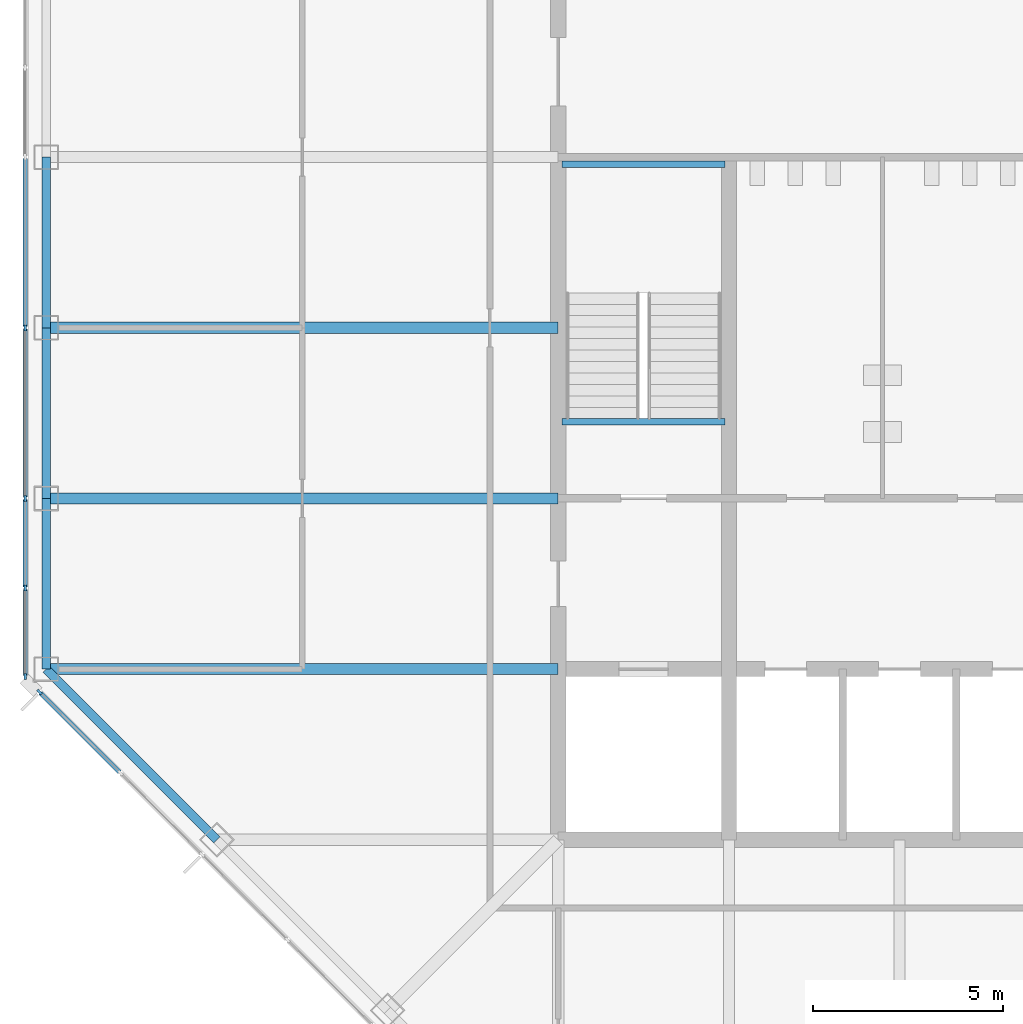
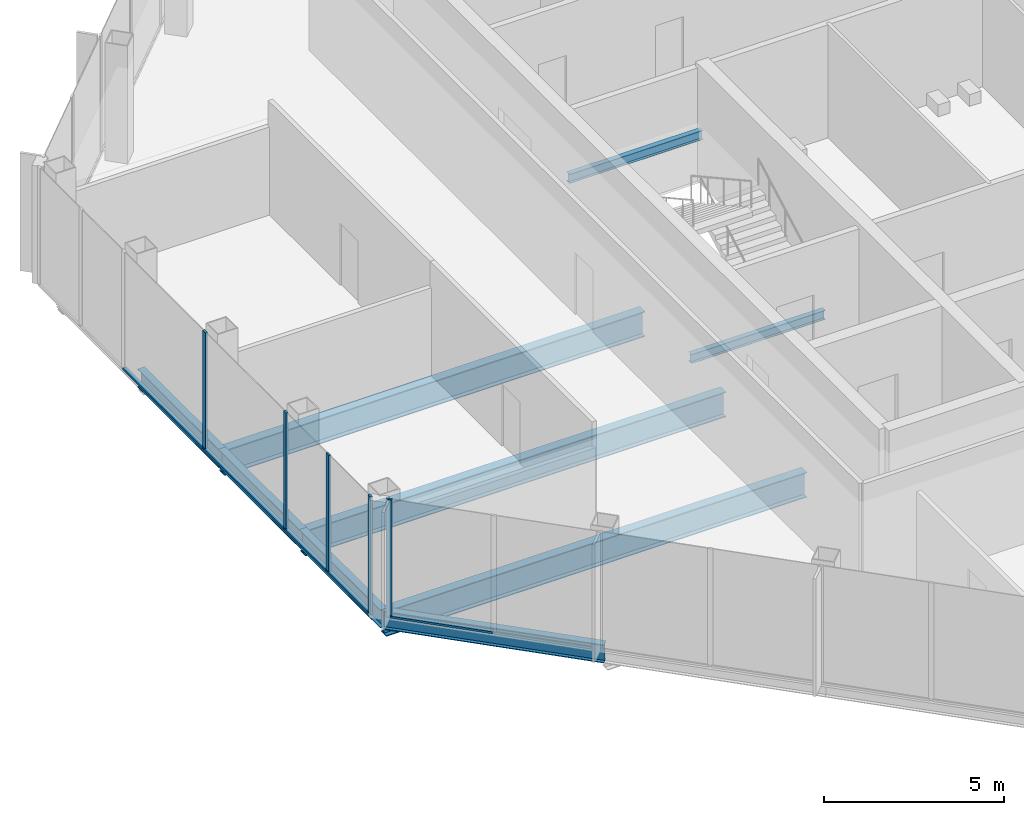
# One storey, part 3 of 14: 10 members, 9 beams, 2 elements without a shape of their own.
"""IFC4 building model written with IfcOpenShell, lengths in metres."""

from ifc_helpers import new_model, si_unit, direction, frame, origin, origin_2d, place, context, subcontext, project, spatial, rectangle, i_section, extrude, material, material_profile, profile_set, type_object, element, aggregate, save


model = new_model("IFC4")

# Units and contexts
model_context = context("Model", 3, precision=1e-05, world=origin(), true_north=direction((0.0, 1.0)))
body_context = subcontext(model_context, "Body", "Model", "MODEL_VIEW")
ifc_project = project(units=[si_unit("LENGTHUNIT", "METRE"), si_unit("AREAUNIT", "SQUARE_METRE"), si_unit("VOLUMEUNIT", "CUBIC_METRE"), si_unit("PLANEANGLEUNIT", "RADIAN"), si_unit("MASSUNIT", "GRAM", prefix="KILO")], contexts=[model_context])

# Site, building, storey
site_placement = place(None, origin())
site = spatial("IfcSite", under=ifc_project, at=site_placement, CompositionType="ELEMENT")
building_placement = place(site_placement, origin())
building = spatial("IfcBuilding", under=site, at=building_placement, Name="Corais Broadcast Tower", CompositionType="ELEMENT")
storey_placement = place(building_placement, frame((0.0, 0.0, 254.60009765625)))
storey = spatial("IfcBuildingStorey", under=building, at=storey_placement, Name="L59", CompositionType="ELEMENT", Elevation=254.60009765625)

# Beams
ifc_material_1 = material(Name="Steel ASTM A572 Grade 50", Category="steel")
ifc_material_profile_1 = material_profile(ifc_material_1, i_section(OverallWidth=0.2939453125, OverallDepth=0.85107421875, WebThickness=0.01611328125, FlangeThickness=0.02685546875, at=origin_2d()), Name="W840x226")
ifc_profile_set_1 = profile_set([ifc_material_profile_1], Name="Steel ASTM A572 Grade 50")
beam_type_1 = type_object("IfcBeamType", Name="Floor beam W840x226", PredefinedType="BEAM", material=ifc_profile_set_1)
for number, where, z_axis, x_axis, name in (
    (1, (0.0, 18.0, -0.585693359375), (1.0, 0.0, 0.0), (0.0, 1.0, 0.0), "B1 E/3 to E/6"),
    (2, (0.0, 22.5, -0.585693359375), (1.0, 0.0, 0.0), (0.0, 1.0, 0.0), "B1 F/3 to F/6"),
    (3, (0.0, 27.0, -0.585693359375), (1.0, 0.0, 0.0), (0.0, 1.0, 0.0), "B1 G/3 to G/6"),
):
    element("IfcBeam", number, at=place(storey_placement, frame(where, z_axis=z_axis, x_axis=x_axis)), inside=storey, type_object=beam_type_1, Name=name, PredefinedType="BEAM", context=body_context, shape_type="SweptSolid", body=[
        extrude(i_section(OverallWidth=0.2939453125, OverallDepth=0.85107421875, WebThickness=0.01611328125, FlangeThickness=0.02685546875, at=origin_2d()), origin(), (0.0, 0.0, 1.0), 13.5),
    ])
ifc_material_2 = material(Name="Steel ASTM A572 Grade 50", Category="steel")
ifc_material_profile_2 = material_profile(ifc_material_2, i_section(OverallWidth=0.1650390625, OverallDepth=0.31005859375, WebThickness=0.005859375, FlangeThickness=0.009765625, at=origin_2d()), Name="W310x38.7")
ifc_profile_set_2 = profile_set([ifc_material_profile_2], Name="Steel ASTM A572 Grade 50")
beam_type_2 = type_object("IfcBeamType", Name="Landing trimmer W310x38.7", PredefinedType="BEAM", material=ifc_profile_set_2)
for number, where, z_axis, x_axis, name in (
    (4, (13.60009765625, 24.52490234375, -0.35498046875), (1.0, 0.0, 0.0), (0.0, 1.0, 0.0), "LT1 stair A landing trimmer L59"),
    (5, (13.60009765625, 31.31005859375, 1.64501953125), (1.0, 0.0, 0.0), (0.0, 1.0, 0.0), "LT1 stair A half landing trimmer L59"),
):
    element("IfcBeam", number, at=place(storey_placement, frame(where, z_axis=z_axis, x_axis=x_axis)), inside=storey, type_object=beam_type_2, Name=name, PredefinedType="BEAM", context=body_context, shape_type="SweptSolid", body=[
        extrude(i_section(OverallWidth=0.1650390625, OverallDepth=0.31005859375, WebThickness=0.005859375, FlangeThickness=0.009765625, at=origin_2d()), origin(), (0.0, 0.0, 1.0), 4.2998046875),
    ])

# Curtain wall, member
ifc_material_3 = material(Name="Aluminium and glass", Category="aluminium")
curtain_wall_type = type_object("IfcCurtainWallType", Name="Unitised fritted curtain wall CW3", PredefinedType="NOTDEFINED", material=ifc_material_3)
curtain_wall_1_placement = place(storey_placement, origin())
curtain_wall_1 = element("IfcCurtainWall", 6, at=curtain_wall_1_placement, inside=storey, type_object=curtain_wall_type, Name="CW3 curtain wall L59 1", PredefinedType="NOTDEFINED")
ifc_material_4 = material(Name="Aluminium 6063-T6", Category="aluminium")
ifc_material_profile_3 = material_profile(ifc_material_4, rectangle(XDim=0.06494140625, YDim=0.159912109375, at=origin_2d()), Name="Mullion CW3 65x160")
ifc_profile_set_3 = profile_set([ifc_material_profile_3], Name="Aluminium 6063-T6")
member_type_1 = type_object("IfcMemberType", Name="Mullion CW3 65x160", PredefinedType="MULLION", material=ifc_profile_set_3)
member_1_placement = place(storey_placement, frame((-0.17333984375, 17.3955078125, 0.0), z_axis=(0.0, 0.0, 1.0), x_axis=(-0.707106781187, -0.707106781187, 0.0)))
member_1 = element("IfcMember", 7, at=member_1_placement, type_object=member_type_1, Name="CW3 mullion 9", PredefinedType="MULLION", context=body_context, shape_type="SweptSolid", body=[
    extrude(rectangle(XDim=0.06494140625, YDim=0.159912109375, at=origin_2d()), origin(), (0.0, 0.0, 1.0), 4.0),
])

# Curtain wall, members
curtain_wall_2_placement = place(storey_placement, origin())
curtain_wall_2 = element("IfcCurtainWall", 8, at=curtain_wall_2_placement, inside=storey, type_object=curtain_wall_type, Name="CW3 curtain wall L59 2", PredefinedType="NOTDEFINED")
member_2_placement = place(storey_placement, frame((-0.550048828125, 17.8046875, 0.0), z_axis=(0.0, 0.0, 1.0), x_axis=(-1.0, 0.0, 0.0)))
member_2 = element("IfcMember", 9, at=member_2_placement, type_object=member_type_1, Name="CW3 mullion 1", PredefinedType="MULLION", context=body_context, shape_type="SweptSolid", body=[
    extrude(rectangle(XDim=0.06494140625, YDim=0.159912109375, at=origin_2d()), origin(), (0.0, 0.0, 1.0), 4.0),
])
member_3_placement = place(storey_placement, frame((-0.550048828125, 20.135986328125, 0.0), z_axis=(0.0, 0.0, 1.0), x_axis=(-1.0, 0.0, 0.0)))
member_3 = element("IfcMember", 10, at=member_3_placement, type_object=member_type_1, Name="CW3 mullion 2", PredefinedType="MULLION", context=body_context, shape_type="SweptSolid", body=[
    extrude(rectangle(XDim=0.06494140625, YDim=0.159912109375, at=origin_2d()), origin(), (0.0, 0.0, 1.0), 4.0),
])
member_4_placement = place(storey_placement, frame((-0.550048828125, 22.5, 0.0), z_axis=(0.0, 0.0, 1.0), x_axis=(-1.0, 0.0, 0.0)))
member_4 = element("IfcMember", 11, at=member_4_placement, type_object=member_type_1, Name="CW3 mullion 3", PredefinedType="MULLION", context=body_context, shape_type="SweptSolid", body=[
    extrude(rectangle(XDim=0.06494140625, YDim=0.159912109375, at=origin_2d()), origin(), (0.0, 0.0, 1.0), 4.0),
])
member_5_placement = place(storey_placement, frame((-0.550048828125, 27.0, 0.0), z_axis=(0.0, 0.0, 1.0), x_axis=(-1.0, 0.0, 0.0)))
member_5 = element("IfcMember", 12, at=member_5_placement, type_object=member_type_1, Name="CW3 mullion 4", PredefinedType="MULLION", context=body_context, shape_type="SweptSolid", body=[
    extrude(rectangle(XDim=0.06494140625, YDim=0.159912109375, at=origin_2d()), origin(), (0.0, 0.0, 1.0), 4.0),
])

# Beams
ifc_material_5 = material(Name="Steel ASTM A572 Grade 50", Category="steel")
ifc_material_profile_4 = material_profile(ifc_material_5, i_section(OverallWidth=0.22998046875, OverallDepth=0.616943359375, WebThickness=0.01318359375, FlangeThickness=0.022216796875, at=origin_2d()), Name="W610x140")
ifc_profile_set_4 = profile_set([ifc_material_profile_4], Name="Steel ASTM A572 Grade 50")
beam_type_3 = type_object("IfcBeamType", Name="Spandrel W610x140", PredefinedType="BEAM", material=ifc_profile_set_4)
beam_placement = place(storey_placement, frame((0.0, 18.0, -0.468505859375), z_axis=(0.707106781187, -0.707106781187, 0.0), x_axis=(0.707106781187, 0.707106781187, 0.0)))
element("IfcBeam", 13, at=beam_placement, inside=storey, type_object=beam_type_3, Name="SB3 E/3 to D/4", PredefinedType="BEAM", context=body_context, shape_type="SweptSolid", body=[
    extrude(i_section(OverallWidth=0.22998046875, OverallDepth=0.616943359375, WebThickness=0.01318359375, FlangeThickness=0.022216796875, at=origin_2d()), origin(), (0.0, 0.0, 1.0), 6.364013671875),
])
for number, where, z_axis, x_axis, name in (
    (14, (0.0, 22.5, -0.468505859375), (0.0, -1.0, 0.0), (1.0, 0.0, 0.0), "SB3 F/3 to E/3"),
    (15, (0.0, 27.0, -0.468505859375), (0.0, -1.0, 0.0), (1.0, 0.0, 0.0), "SB3 G/3 to F/3"),
    (16, (0.0, 31.5, -0.468505859375), (0.0, -1.0, 0.0), (1.0, 0.0, 0.0), "SB3 H/3 to G/3"),
):
    element("IfcBeam", number, at=place(storey_placement, frame(where, z_axis=z_axis, x_axis=x_axis)), inside=storey, type_object=beam_type_3, Name=name, PredefinedType="BEAM", context=body_context, shape_type="SweptSolid", body=[
        extrude(i_section(OverallWidth=0.22998046875, OverallDepth=0.616943359375, WebThickness=0.01318359375, FlangeThickness=0.022216796875, at=origin_2d()), origin(), (0.0, 0.0, 1.0), 4.5),
    ])

# Member
ifc_material_6 = material(Name="Aluminium 6063-T6", Category="aluminium")
ifc_material_profile_5 = material_profile(ifc_material_6, rectangle(XDim=0.1201171875, YDim=0.06494140625, at=origin_2d()), Name="Transom CW3 65x120")
ifc_profile_set_5 = profile_set([ifc_material_profile_5], Name="Aluminium 6063-T6")
member_type_2 = type_object("IfcMemberType", Name="Transom CW3 65x120", PredefinedType="USERDEFINED", material=ifc_profile_set_5)
member_6_placement = place(storey_placement, frame((1.934326171875, 15.287841796875, 0.032470703125), z_axis=(-0.707106781187, 0.707106781187, 0.0), x_axis=(-0.707106781187, -0.707106781187, 0.0)))
member_6 = element("IfcMember", 17, at=member_6_placement, type_object=member_type_2, Name="CW3 transom 8.1", ObjectType="TRANSOM", PredefinedType="USERDEFINED", context=body_context, shape_type="SweptSolid", body=[
    extrude(rectangle(XDim=0.1201171875, YDim=0.06494140625, at=origin_2d()), origin(), (0.0, 0.0, 1.0), 2.9482421875),
])

aggregate(curtain_wall_1, [member_1, member_6])

member_7_placement = place(storey_placement, frame((-0.550048828125, 17.837158203125, 0.032470703125), z_axis=(0.0, 1.0, 0.0), x_axis=(-1.0, 0.0, 0.0)))
member_7 = element("IfcMember", 18, at=member_7_placement, type_object=member_type_2, Name="CW3 transom 1.1", ObjectType="TRANSOM", PredefinedType="USERDEFINED", context=body_context, shape_type="SweptSolid", body=[
    extrude(rectangle(XDim=0.1201171875, YDim=0.06494140625, at=origin_2d()), origin(), (0.0, 0.0, 1.0), 2.266357421875),
])

member_8_placement = place(storey_placement, frame((-0.550048828125, 20.168701171875, 0.032470703125), z_axis=(0.0, 1.0, 0.0), x_axis=(-1.0, 0.0, 0.0)))
member_8 = element("IfcMember", 19, at=member_8_placement, type_object=member_type_2, Name="CW3 transom 2.1", ObjectType="TRANSOM", PredefinedType="USERDEFINED", context=body_context, shape_type="SweptSolid", body=[
    extrude(rectangle(XDim=0.1201171875, YDim=0.06494140625, at=origin_2d()), origin(), (0.0, 0.0, 1.0), 2.298828125),
])

member_9_placement = place(storey_placement, frame((-0.550048828125, 22.532470703125, 0.032470703125), z_axis=(0.0, 1.0, 0.0), x_axis=(-1.0, 0.0, 0.0)))
member_9 = element("IfcMember", 20, at=member_9_placement, type_object=member_type_2, Name="CW3 transom 3.1", ObjectType="TRANSOM", PredefinedType="USERDEFINED", context=body_context, shape_type="SweptSolid", body=[
    extrude(rectangle(XDim=0.1201171875, YDim=0.06494140625, at=origin_2d()), origin(), (0.0, 0.0, 1.0), 4.43505859375),
])

member_10_placement = place(storey_placement, frame((-0.550048828125, 27.032470703125, 0.032470703125), z_axis=(0.0, 1.0, 0.0), x_axis=(-1.0, 0.0, 0.0)))
member_10 = element("IfcMember", 21, at=member_10_placement, type_object=member_type_2, Name="CW3 transom 4.1", ObjectType="TRANSOM", PredefinedType="USERDEFINED", context=body_context, shape_type="SweptSolid", body=[
    extrude(rectangle(XDim=0.1201171875, YDim=0.06494140625, at=origin_2d()), origin(), (0.0, 0.0, 1.0), 4.43505859375),
])

aggregate(curtain_wall_2, [member_2, member_3, member_4, member_5, member_7, member_8, member_9, member_10])

save(model, "model.ifc")
